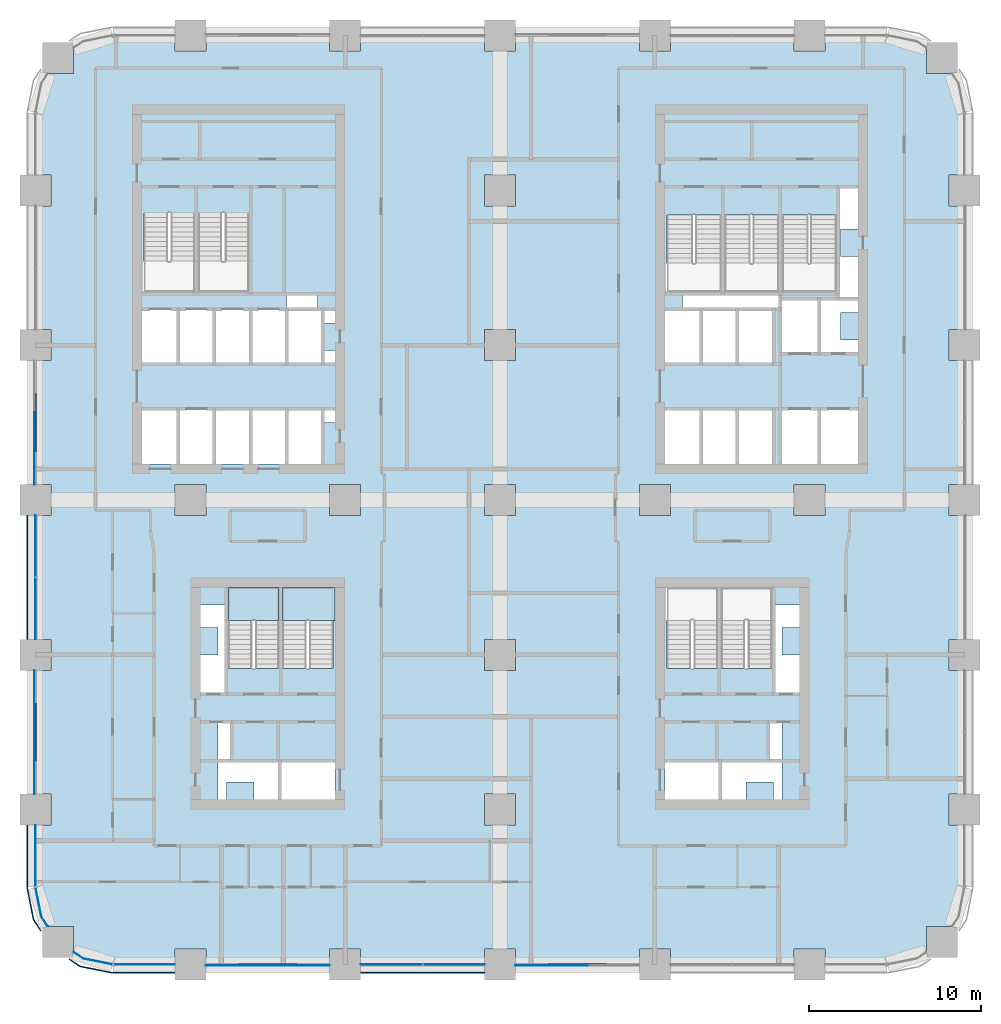
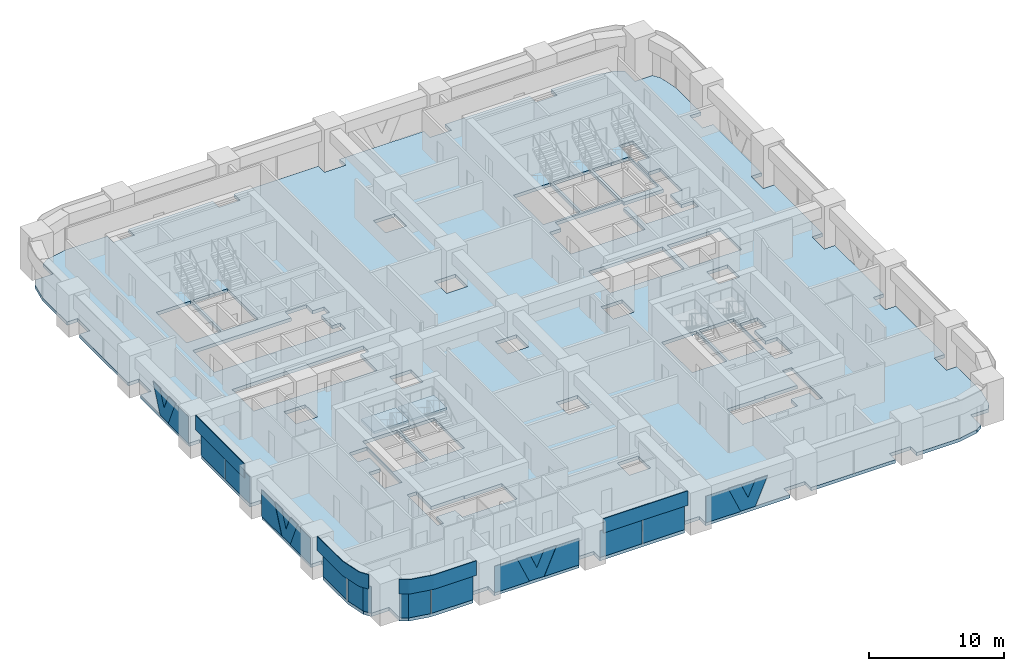
# One storey, part 10 of 21: 26 plates, 3 slabs, 10 elements without a shape of their own.
"""IFC4 building model written with IfcOpenShell, lengths in metres."""

from ifc_helpers import new_model, si_unit, direction, frame, origin, origin_2d, place, context, subcontext, project, spatial, polyline, rectangle, outline, extrude, material, layer, layer_set, type_object, element, aggregate, save


model = new_model("IFC4")

# Units and contexts
model_context = context("Model", 3, precision=1e-05, world=origin(), true_north=direction((0.0, 1.0)))
body_context = subcontext(model_context, "Body", "Model", "MODEL_VIEW")
ifc_project = project(units=[si_unit("LENGTHUNIT", "METRE"), si_unit("AREAUNIT", "SQUARE_METRE"), si_unit("VOLUMEUNIT", "CUBIC_METRE"), si_unit("PLANEANGLEUNIT", "RADIAN"), si_unit("MASSUNIT", "GRAM", prefix="KILO")], contexts=[model_context])

# Site, building, storey
site_placement = place(None, origin())
site = spatial("IfcSite", under=ifc_project, at=site_placement, CompositionType="ELEMENT")
building_placement = place(site_placement, origin())
building = spatial("IfcBuilding", under=site, at=building_placement, Name="Tessera Arch", CompositionType="ELEMENT")
storey_placement = place(building_placement, frame((0.0, 0.0, 69.0)))
storey = spatial("IfcBuildingStorey", under=building, at=storey_placement, Name="L15", CompositionType="ELEMENT", Elevation=69.0)

# Curtain wall, plates
ifc_material_1 = material(Name="CW1 curtain wall")
curtain_wall_type_1 = type_object("IfcCurtainWallType", Name="CW1 curtain wall", PredefinedType="NOTDEFINED", material=ifc_material_1)
curtain_wall_1_placement = place(storey_placement, origin())
curtain_wall_1 = element("IfcCurtainWall", 1, at=curtain_wall_1_placement, inside=storey, type_object=curtain_wall_type_1, Name="CW1 curtain wall S0.0/1 L15", PredefinedType="NOTDEFINED")
ifc_material_2 = material(Name="Clear low-e glass", Category="glass")
ifc_material_3 = material(Name="Clear low-e glass", Category="glass")
ifc_layer_1 = layer(ifc_material_3, 0.028076171875)
ifc_layer_set_1 = layer_set([ifc_layer_1], Name="CW1 glass panel")
plate_type_1 = type_object("IfcPlateType", Name="CW1 glass panel", PredefinedType="CURTAIN_PANEL", material=ifc_layer_set_1)
plate_1_placement = place(storey_placement, frame((20.68505859375, 0.0, 0.0), z_axis=(0.0, 0.0, 1.0), x_axis=(1.0, 0.0, 0.0)))
plate_1 = element("IfcPlate", 2, at=plate_1_placement, type_object=plate_type_1, material=ifc_material_2, Name="CW1 glass panel S0.0/1 1.1.1", PredefinedType="CURTAIN_PANEL", context=body_context, shape_type="SweptSolid", body=[
    extrude(rectangle(XDim=3.570068359375, YDim=0.028076171875, at=origin_2d()), origin(), (0.0, 0.0, 1.0), 2.39990234375),
])
plate_2_placement = place(storey_placement, frame((24.31494140625, 0.0, 0.0), z_axis=(0.0, 0.0, 1.0), x_axis=(1.0, 0.0, 0.0)))
plate_2 = element("IfcPlate", 3, at=plate_2_placement, type_object=plate_type_1, material=ifc_material_2, Name="CW1 glass panel S0.0/1 1.2.1", PredefinedType="CURTAIN_PANEL", context=body_context, shape_type="SweptSolid", body=[
    extrude(rectangle(XDim=3.570068359375, YDim=0.028076171875, at=origin_2d()), origin(), (0.0, 0.0, 1.0), 2.39990234375),
])

curtain_wall_2_placement = place(storey_placement, origin())
curtain_wall_2 = element("IfcCurtainWall", 4, at=curtain_wall_2_placement, inside=storey, type_object=curtain_wall_type_1, Name="CW1 curtain wall W0.0/3 L15", PredefinedType="NOTDEFINED")
plate_3_placement = place(storey_placement, frame((0.0, 24.31494140625, 0.0), z_axis=(0.0, 0.0, 1.0), x_axis=(0.0, -1.0, 0.0)))
plate_3 = element("IfcPlate", 5, at=plate_3_placement, type_object=plate_type_1, material=ifc_material_2, Name="CW1 glass panel W0.0/3 1.1.1", PredefinedType="CURTAIN_PANEL", context=body_context, shape_type="SweptSolid", body=[
    extrude(rectangle(XDim=3.570068359375, YDim=0.028076171875, at=origin_2d()), origin(), (0.0, 0.0, 1.0), 2.39990234375),
])
plate_4_placement = place(storey_placement, frame((0.0, 20.68505859375, 0.0), z_axis=(0.0, 0.0, 1.0), x_axis=(0.0, -1.0, 0.0)))
plate_4 = element("IfcPlate", 6, at=plate_4_placement, type_object=plate_type_1, material=ifc_material_2, Name="CW1 glass panel W0.0/3 1.2.1", PredefinedType="CURTAIN_PANEL", context=body_context, shape_type="SweptSolid", body=[
    extrude(rectangle(XDim=3.570068359375, YDim=0.028076171875, at=origin_2d()), origin(), (0.0, 0.0, 1.0), 2.39990234375),
])

# Plate
ifc_material_4 = material(Name="Pale anodised aluminium panel", Category="aluminium")
ifc_layer_2 = layer(ifc_material_4, 0.06005859375)
ifc_layer_set_2 = layer_set([ifc_layer_2], Name="CW1 spandrel panel")
plate_type_2 = type_object("IfcPlateType", Name="CW1 spandrel panel", PredefinedType="CURTAIN_PANEL", material=ifc_layer_set_2)
plate_5_placement = place(storey_placement, frame((22.5, -0.47998046875, 2.5), z_axis=(0.0, 0.0, 1.0), x_axis=(1.0, 0.0, 0.0)))
plate_5 = element("IfcPlate", 7, at=plate_5_placement, type_object=plate_type_2, Name="CW1 spandrel panel S0.0/1", PredefinedType="CURTAIN_PANEL", context=body_context, shape_type="SweptSolid", body=[
    extrude(rectangle(XDim=7.199951171875, YDim=0.06005859375, at=origin_2d()), origin(), (0.0, 0.0, 1.0), 1.300048828125),
])

aggregate(curtain_wall_1, [plate_1, plate_2, plate_5])

plate_6_placement = place(storey_placement, frame((-0.47998046875, 22.5, 2.5), z_axis=(0.0, 0.0, 1.0), x_axis=(0.0, -1.0, 0.0)))
plate_6 = element("IfcPlate", 8, at=plate_6_placement, type_object=plate_type_2, Name="CW1 spandrel panel W0.0/3", PredefinedType="CURTAIN_PANEL", context=body_context, shape_type="SweptSolid", body=[
    extrude(rectangle(XDim=7.199951171875, YDim=0.06005859375, at=origin_2d()), origin(), (0.0, 0.0, 1.0), 1.300048828125),
])

aggregate(curtain_wall_2, [plate_3, plate_4, plate_6])

# Curtain wall, plates
ifc_material_5 = material(Name="CW2 curtain wall")
curtain_wall_type_2 = type_object("IfcCurtainWallType", Name="CW2 curtain wall", PredefinedType="NOTDEFINED", material=ifc_material_5)
curtain_wall_3_placement = place(storey_placement, origin())
curtain_wall_3 = element("IfcCurtainWall", 9, at=curtain_wall_3_placement, inside=storey, type_object=curtain_wall_type_2, Name="CW2 curtain wall W0.0/5 L15", PredefinedType="NOTDEFINED")
ifc_material_6 = material(Name="Clear low-e glass", Category="glass")
ifc_layer_3 = layer(ifc_material_6, 0.028076171875)
ifc_layer_set_3 = layer_set([ifc_layer_3], Name="CW2 glass panel")
plate_type_3 = type_object("IfcPlateType", Name="CW2 glass panel", PredefinedType="CURTAIN_PANEL", material=ifc_layer_set_3)
plate_7_placement = place(storey_placement, frame((0.0, 6.320068359375, 0.0), z_axis=(0.0, 0.0, 1.0), x_axis=(0.0, -1.0, 0.0)))
plate_7 = element("IfcPlate", 10, at=plate_7_placement, type_object=plate_type_3, material=ifc_material_2, Name="CW2 glass panel W0.0/5 1.1", PredefinedType="CURTAIN_PANEL", context=body_context, shape_type="SweptSolid", body=[
    extrude(rectangle(XDim=3.56005859375, YDim=0.028076171875, at=origin_2d()), origin(), (0.0, 0.0, 1.0), 2.39990234375),
])
plate_8_placement = place(storey_placement, origin())
plate_8 = element("IfcPlate", 11, at=plate_8_placement, type_object=plate_type_3, material=ifc_material_2, Name="CW2 curved glass panel W0.0/5 2.1", PredefinedType="CURTAIN_PANEL", context=body_context, shape_type="SweptSolid", body=[
    extrude(outline(polyline([(0.355712890625, 2.783447265625), (0.021484375, 4.46337890625), (-0.005859375, 4.4580078125), (0.329345703125, 2.7724609375), (0.705078125, 2.210205078125), (0.728271484375, 2.225830078125), (0.355712890625, 2.783447265625)])), origin(), (0.0, 0.0, 1.0), 2.39990234375),
])

curtain_wall_4_placement = place(storey_placement, origin())
curtain_wall_4 = element("IfcCurtainWall", 12, at=curtain_wall_4_placement, inside=storey, type_object=curtain_wall_type_2, Name="CW2 curtain wall S0.0/5 L15", PredefinedType="NOTDEFINED")
plate_9_placement = place(storey_placement, frame((6.320068359375, 0.0, 0.0), z_axis=(0.0, 0.0, 1.0), x_axis=(1.0, 0.0, 0.0)))
plate_9 = element("IfcPlate", 13, at=plate_9_placement, type_object=plate_type_3, material=ifc_material_2, Name="CW2 glass panel S0.0/5 1.1", PredefinedType="CURTAIN_PANEL", context=body_context, shape_type="SweptSolid", body=[
    extrude(rectangle(XDim=3.56005859375, YDim=0.028076171875, at=origin_2d()), origin(), (0.0, 0.0, 1.0), 2.39990234375),
])
plate_10_placement = place(storey_placement, origin())
plate_10 = element("IfcPlate", 14, at=plate_10_placement, type_object=plate_type_3, material=ifc_material_2, Name="CW2 curved glass panel S0.0/5 2.1", PredefinedType="CURTAIN_PANEL", context=body_context, shape_type="SweptSolid", body=[
    extrude(outline(polyline([(2.783447265625, 0.355712890625), (2.225830078125, 0.728271484375), (2.210205078125, 0.705078125), (2.7724609375, 0.329345703125), (4.4580078125, -0.005859375), (4.46337890625, 0.021484375), (2.783447265625, 0.355712890625)])), origin(), (0.0, 0.0, 1.0), 2.39990234375),
])

# Plate
ifc_material_7 = material(Name="Pale anodised aluminium panel", Category="aluminium")
ifc_layer_4 = layer(ifc_material_7, 0.06005859375)
ifc_layer_set_4 = layer_set([ifc_layer_4], Name="CW2 spandrel panel")
plate_type_4 = type_object("IfcPlateType", Name="CW2 spandrel panel", PredefinedType="CURTAIN_PANEL", material=ifc_layer_set_4)
plate_11_placement = place(storey_placement, frame((0.0, 0.0, 2.5)))
plate_11 = element("IfcPlate", 15, at=plate_11_placement, type_object=plate_type_4, Name="CW2 spandrel panel W0.0/5", PredefinedType="CURTAIN_PANEL", context=body_context, shape_type="SweptSolid", body=[
    extrude(outline(polyline([(-0.449951171875, 4.500732421875), (-0.449951171875, 8.10009765625), (-0.510009765625, 8.10009765625), (-0.510009765625, 4.499267578125), (-0.507568359375, 4.449951171875), (-0.500244140625, 4.401123046875), (-0.157470703125, 2.677734375), (-0.1455078125, 2.6298828125), (-0.128662109375, 2.582763671875), (-0.107177734375, 2.537353515625), (-0.08203125, 2.4951171875), (0.292724609375, 1.9345703125), (0.342529296875, 1.968017578125), (-0.03125, 2.52734375), (-0.05419921875, 2.565673828125), (-0.0732421875, 2.605712890625), (-0.088134765625, 2.647216796875), (-0.09912109375, 2.69091796875), (-0.441162109375, 4.411376953125), (-0.44775390625, 4.455810546875), (-0.449951171875, 4.500732421875)])), origin(), (0.0, 0.0, 1.0), 1.300048828125),
])

aggregate(curtain_wall_3, [plate_7, plate_8, plate_11])

plate_12_placement = place(storey_placement, frame((0.0, 0.0, 2.5)))
plate_12 = element("IfcPlate", 16, at=plate_12_placement, type_object=plate_type_4, Name="CW2 spandrel panel S0.0/5", PredefinedType="CURTAIN_PANEL", context=body_context, shape_type="SweptSolid", body=[
    extrude(outline(polyline([(2.52734375, -0.03125), (1.968017578125, 0.342529296875), (1.9345703125, 0.292724609375), (2.4951171875, -0.08203125), (2.537353515625, -0.107177734375), (2.582763671875, -0.128662109375), (2.6298828125, -0.1455078125), (2.677734375, -0.157470703125), (4.401123046875, -0.500244140625), (4.449951171875, -0.507568359375), (4.499267578125, -0.510009765625), (8.10009765625, -0.510009765625), (8.10009765625, -0.449951171875), (4.500732421875, -0.449951171875), (4.455810546875, -0.44775390625), (4.411376953125, -0.441162109375), (2.69091796875, -0.09912109375), (2.647216796875, -0.088134765625), (2.605712890625, -0.0732421875), (2.565673828125, -0.05419921875), (2.52734375, -0.03125)])), origin(), (0.0, 0.0, 1.0), 1.300048828125),
])

aggregate(curtain_wall_4, [plate_9, plate_10, plate_12])

# Curtain wall, plate
ifc_material_8 = material(Name="CW3 curtain wall")
curtain_wall_type_3 = type_object("IfcCurtainWallType", Name="CW3 curtain wall", PredefinedType="NOTDEFINED", material=ifc_material_8)
curtain_wall_5_placement = place(storey_placement, origin())
curtain_wall_5 = element("IfcCurtainWall", 17, at=curtain_wall_5_placement, inside=storey, type_object=curtain_wall_type_3, Name="CW3 curtain wall S0.0/0 L15", PredefinedType="NOTDEFINED")
ifc_material_9 = material(Name="Pale anodised aluminium panel", Category="aluminium")
ifc_layer_5 = layer(ifc_material_9, 0.06005859375)
ifc_layer_set_5 = layer_set([ifc_layer_5], Name="CW3 diagonal panel")
plate_type_5 = type_object("IfcPlateType", Name="CW3 diagonal panel", PredefinedType="CURTAIN_PANEL", material=ifc_layer_set_5)
plate_13_placement = place(storey_placement, frame((15.184326171875, -0.030029296875, 2.39990234375), z_axis=(0.0, -1.0, 0.0), x_axis=(-1.0, 0.0, 0.0)))
plate_13 = element("IfcPlate", 18, at=plate_13_placement, type_object=plate_type_5, Name="CW3 diagonal panel S0.0/0 1", PredefinedType="CURTAIN_PANEL", context=body_context, shape_type="SweptSolid", body=[
    extrude(outline(polyline([(0.0, 0.0), (1.085693359375, 0.0), (1.684326171875, 1.363525390625), (2.282958984375, 0.0), (3.36865234375, 0.0), (2.31494140625, 2.39990234375), (1.0537109375, 2.39990234375), (0.0, 0.0)])), origin(), (0.0, 0.0, -1.0), 0.06005859375),
])

curtain_wall_6_placement = place(storey_placement, origin())
curtain_wall_6 = element("IfcCurtainWall", 19, at=curtain_wall_6_placement, inside=storey, type_object=curtain_wall_type_3, Name="CW3 curtain wall S0.0/2 L15", PredefinedType="NOTDEFINED")
plate_14_placement = place(storey_placement, frame((33.184326171875, -0.030029296875, 2.39990234375), z_axis=(0.0, -1.0, 0.0), x_axis=(-1.0, 0.0, 0.0)))
plate_14 = element("IfcPlate", 20, at=plate_14_placement, type_object=plate_type_5, Name="CW3 diagonal panel S0.0/2 1", PredefinedType="CURTAIN_PANEL", context=body_context, shape_type="SweptSolid", body=[
    extrude(outline(polyline([(0.0, 0.0), (1.085693359375, 0.0), (1.684326171875, 1.363525390625), (2.282958984375, 0.0), (3.36865234375, 0.0), (2.31494140625, 2.39990234375), (1.0537109375, 2.39990234375), (0.0, 0.0)])), origin(), (0.0, 0.0, -1.0), 0.06005859375),
])

curtain_wall_7_placement = place(storey_placement, origin())
curtain_wall_7 = element("IfcCurtainWall", 21, at=curtain_wall_7_placement, inside=storey, type_object=curtain_wall_type_3, Name="CW3 curtain wall W0.0/2 L15", PredefinedType="NOTDEFINED")
plate_15_placement = place(storey_placement, frame((-0.030029296875, 29.815673828125, 2.39990234375), z_axis=(-1.0, 0.0, 0.0), x_axis=(0.0, 1.0, 0.0)))
plate_15 = element("IfcPlate", 22, at=plate_15_placement, type_object=plate_type_5, Name="CW3 diagonal panel W0.0/2 1", PredefinedType="CURTAIN_PANEL", context=body_context, shape_type="SweptSolid", body=[
    extrude(outline(polyline([(0.0, 0.0), (1.085693359375, 0.0), (1.684326171875, 1.363525390625), (2.282958984375, 0.0), (3.36865234375, 0.0), (2.31494140625, 2.39990234375), (1.0537109375, 2.39990234375), (0.0, 0.0)])), origin(), (0.0, 0.0, -1.0), 0.06005859375),
])

curtain_wall_8_placement = place(storey_placement, origin())
curtain_wall_8 = element("IfcCurtainWall", 23, at=curtain_wall_8_placement, inside=storey, type_object=curtain_wall_type_3, Name="CW3 curtain wall W0.0/4 L15", PredefinedType="NOTDEFINED")
plate_16_placement = place(storey_placement, frame((-0.030029296875, 11.815673828125, 2.39990234375), z_axis=(-1.0, 0.0, 0.0), x_axis=(0.0, 1.0, 0.0)))
plate_16 = element("IfcPlate", 24, at=plate_16_placement, type_object=plate_type_5, Name="CW3 diagonal panel W0.0/4 1", PredefinedType="CURTAIN_PANEL", context=body_context, shape_type="SweptSolid", body=[
    extrude(outline(polyline([(0.0, 0.0), (1.085693359375, 0.0), (1.684326171875, 1.363525390625), (2.282958984375, 0.0), (3.36865234375, 0.0), (2.31494140625, 2.39990234375), (1.0537109375, 2.39990234375), (0.0, 0.0)])), origin(), (0.0, 0.0, -1.0), 0.06005859375),
])

# Plate
ifc_material_10 = material(Name="Clear low-e glass", Category="glass")
ifc_layer_6 = layer(ifc_material_10, 0.028076171875)
ifc_layer_set_6 = layer_set([ifc_layer_6], Name="CW3 glass panel")
plate_type_6 = type_object("IfcPlateType", Name="CW3 glass panel", PredefinedType="CURTAIN_PANEL", material=ifc_layer_set_6)
plate_17_placement = place(storey_placement, frame((9.89990234375, -0.05810546875, 0.0), z_axis=(0.0, -1.0, 0.0), x_axis=(1.0, 0.0, 0.0)))
plate_17 = element("IfcPlate", 25, at=plate_17_placement, type_object=plate_type_6, material=ifc_material_2, Name="CW3 triangulated glass panel S0.0/0 1", PredefinedType="CURTAIN_PANEL", context=body_context, shape_type="SweptSolid", body=[
    extrude(outline(polyline([(0.0, 0.0), (2.969482421875, 0.0), (1.915771484375, 2.39990234375), (0.0, 2.39990234375), (0.0, 0.0)])), origin(), (0.0, 0.0, -1.0), 0.028076171875),
])

plate_18_placement = place(storey_placement, frame((14.0986328125, -0.05810546875, 2.39990234375), z_axis=(0.0, -1.0, 0.0), x_axis=(-1.0, 0.0, 0.0)))
plate_18 = element("IfcPlate", 26, at=plate_18_placement, type_object=plate_type_6, material=ifc_material_2, Name="CW3 triangulated glass panel S0.0/0 2", PredefinedType="CURTAIN_PANEL", context=body_context, shape_type="SweptSolid", body=[
    extrude(outline(polyline([(0.0, 0.0), (1.197265625, 0.0), (0.5986328125, 1.363525390625), (0.0, 0.0)])), origin(), (0.0, 0.0, -1.0), 0.028076171875),
])

plate_19_placement = place(storey_placement, frame((17.10009765625, -0.05810546875, 2.39990234375), z_axis=(0.0, -1.0, 0.0), x_axis=(-1.0, 0.0, 0.0)))
plate_19 = element("IfcPlate", 27, at=plate_19_placement, type_object=plate_type_6, material=ifc_material_2, Name="CW3 triangulated glass panel S0.0/0 3", PredefinedType="CURTAIN_PANEL", context=body_context, shape_type="SweptSolid", body=[
    extrude(outline(polyline([(0.0, 0.0), (1.915771484375, 0.0), (2.969482421875, 2.39990234375), (0.0, 2.39990234375), (0.0, 0.0)])), origin(), (0.0, 0.0, -1.0), 0.028076171875),
])

aggregate(curtain_wall_5, [plate_17, plate_18, plate_19, plate_13])

plate_20_placement = place(storey_placement, frame((27.89990234375, -0.05810546875, 0.0), z_axis=(0.0, -1.0, 0.0), x_axis=(1.0, 0.0, 0.0)))
plate_20 = element("IfcPlate", 28, at=plate_20_placement, type_object=plate_type_6, material=ifc_material_2, Name="CW3 triangulated glass panel S0.0/2 1", PredefinedType="CURTAIN_PANEL", context=body_context, shape_type="SweptSolid", body=[
    extrude(outline(polyline([(0.0, 0.0), (2.969482421875, 0.0), (1.915771484375, 2.39990234375), (0.0, 2.39990234375), (0.0, 0.0)])), origin(), (0.0, 0.0, -1.0), 0.028076171875),
])

plate_21_placement = place(storey_placement, frame((32.0986328125, -0.05810546875, 2.39990234375), z_axis=(0.0, -1.0, 0.0), x_axis=(-1.0, 0.0, 0.0)))
plate_21 = element("IfcPlate", 29, at=plate_21_placement, type_object=plate_type_6, material=ifc_material_2, Name="CW3 triangulated glass panel S0.0/2 2", PredefinedType="CURTAIN_PANEL", context=body_context, shape_type="SweptSolid", body=[
    extrude(outline(polyline([(0.0, 0.0), (1.197265625, 0.0), (0.5986328125, 1.363525390625), (0.0, 0.0)])), origin(), (0.0, 0.0, -1.0), 0.028076171875),
])

aggregate(curtain_wall_6, [plate_20, plate_21, plate_14])

plate_22_placement = place(storey_placement, frame((-0.05810546875, 30.9013671875, 2.39990234375), z_axis=(-1.0, 0.0, 0.0), x_axis=(0.0, 1.0, 0.0)))
plate_22 = element("IfcPlate", 30, at=plate_22_placement, type_object=plate_type_6, material=ifc_material_2, Name="CW3 triangulated glass panel W0.0/2 2", PredefinedType="CURTAIN_PANEL", context=body_context, shape_type="SweptSolid", body=[
    extrude(outline(polyline([(0.0, 0.0), (1.197265625, 0.0), (0.5986328125, 1.363525390625), (0.0, 0.0)])), origin(), (0.0, 0.0, -1.0), 0.028076171875),
])

plate_23_placement = place(storey_placement, frame((-0.05810546875, 27.89990234375, 2.39990234375), z_axis=(-1.0, 0.0, 0.0), x_axis=(0.0, 1.0, 0.0)))
plate_23 = element("IfcPlate", 31, at=plate_23_placement, type_object=plate_type_6, material=ifc_material_2, Name="CW3 triangulated glass panel W0.0/2 3", PredefinedType="CURTAIN_PANEL", context=body_context, shape_type="SweptSolid", body=[
    extrude(outline(polyline([(0.0, 0.0), (1.915771484375, 0.0), (2.969482421875, 2.39990234375), (0.0, 2.39990234375), (0.0, 0.0)])), origin(), (0.0, 0.0, -1.0), 0.028076171875),
])

aggregate(curtain_wall_7, [plate_22, plate_23, plate_15])

plate_24_placement = place(storey_placement, frame((-0.05810546875, 17.10009765625, 0.0), z_axis=(-1.0, 0.0, 0.0), x_axis=(0.0, -1.0, 0.0)))
plate_24 = element("IfcPlate", 32, at=plate_24_placement, type_object=plate_type_6, material=ifc_material_2, Name="CW3 triangulated glass panel W0.0/4 1", PredefinedType="CURTAIN_PANEL", context=body_context, shape_type="SweptSolid", body=[
    extrude(outline(polyline([(0.0, 0.0), (2.969482421875, 0.0), (1.915771484375, 2.39990234375), (0.0, 2.39990234375), (0.0, 0.0)])), origin(), (0.0, 0.0, -1.0), 0.028076171875),
])

plate_25_placement = place(storey_placement, frame((-0.05810546875, 12.9013671875, 2.39990234375), z_axis=(-1.0, 0.0, 0.0), x_axis=(0.0, 1.0, 0.0)))
plate_25 = element("IfcPlate", 33, at=plate_25_placement, type_object=plate_type_6, material=ifc_material_2, Name="CW3 triangulated glass panel W0.0/4 2", PredefinedType="CURTAIN_PANEL", context=body_context, shape_type="SweptSolid", body=[
    extrude(outline(polyline([(0.0, 0.0), (1.197265625, 0.0), (0.5986328125, 1.363525390625), (0.0, 0.0)])), origin(), (0.0, 0.0, -1.0), 0.028076171875),
])

plate_26_placement = place(storey_placement, frame((-0.05810546875, 9.89990234375, 2.39990234375), z_axis=(-1.0, 0.0, 0.0), x_axis=(0.0, 1.0, 0.0)))
plate_26 = element("IfcPlate", 34, at=plate_26_placement, type_object=plate_type_6, material=ifc_material_2, Name="CW3 triangulated glass panel W0.0/4 3", PredefinedType="CURTAIN_PANEL", context=body_context, shape_type="SweptSolid", body=[
    extrude(outline(polyline([(0.0, 0.0), (1.915771484375, 0.0), (2.969482421875, 2.39990234375), (0.0, 2.39990234375), (0.0, 0.0)])), origin(), (0.0, 0.0, -1.0), 0.028076171875),
])

aggregate(curtain_wall_8, [plate_24, plate_25, plate_26, plate_16])

# Slab
ifc_material_11 = material(Name="Concrete C40/50", Category="concrete")
ifc_layer_7 = layer(ifc_material_11, 0.300048828125)
ifc_layer_set_7 = layer_set([ifc_layer_7], Name="Floor slab 300 Concrete C40/50")
slab_type_1 = type_object("IfcSlabType", Name="Floor slab 300 Concrete C40/50", PredefinedType="FLOOR", material=ifc_layer_set_7)
slab_1_placement = place(storey_placement, frame((0.0, 0.0, -0.300048828125)))
element("IfcSlab", 35, at=slab_1_placement, inside=storey, type_object=slab_type_1, Name="Floor slab L15 1", PredefinedType="FLOOR", context=body_context, shape_type="SweptSolid", body=[
    extrude(outline(polyline([(4.5, 0.0), (2.77783203125, 0.342529296875), (2.218017578125, 0.716552734375), (2.218017578125, 2.218017578125), (0.716552734375, 2.218017578125), (0.342529296875, 2.77783203125), (0.0, 4.5), (0.0, 8.10009765625), (0.89990234375, 8.10009765625), (0.89990234375, 9.89990234375), (0.0, 9.89990234375), (0.0, 17.10009765625), (0.89990234375, 17.10009765625), (0.89990234375, 18.89990234375), (0.0, 18.89990234375), (0.0, 26.10009765625), (0.89990234375, 26.10009765625), (0.89990234375, 27.89990234375), (0.0, 27.89990234375), (0.0, 35.10009765625), (0.89990234375, 35.10009765625), (0.89990234375, 36.89990234375), (0.0, 36.89990234375), (0.0, 44.10009765625), (0.89990234375, 44.10009765625), (0.89990234375, 45.89990234375), (0.0, 45.89990234375), (0.0, 49.5), (0.342529296875, 51.22216796875), (0.716552734375, 51.781982421875), (2.218017578125, 51.781982421875), (2.218017578125, 53.283447265625), (2.77783203125, 53.657470703125), (4.5, 54.0), (8.10009765625, 54.0), (8.10009765625, 53.10009765625), (9.89990234375, 53.10009765625), (9.89990234375, 54.0), (17.10009765625, 54.0), (17.10009765625, 53.10009765625), (18.89990234375, 53.10009765625), (18.89990234375, 54.0), (26.10009765625, 54.0), (26.10009765625, 53.10009765625), (27.89990234375, 53.10009765625), (27.89990234375, 54.0), (35.10009765625, 54.0), (35.10009765625, 53.10009765625), (36.89990234375, 53.10009765625), (36.89990234375, 54.0), (44.10009765625, 54.0), (44.10009765625, 53.10009765625), (45.89990234375, 53.10009765625), (45.89990234375, 54.0), (49.5, 54.0), (51.22216796875, 53.657470703125), (51.781982421875, 53.283447265625), (51.781982421875, 51.781982421875), (53.283447265625, 51.781982421875), (53.657470703125, 51.22216796875), (54.0, 49.5), (54.0, 45.89990234375), (53.10009765625, 45.89990234375), (53.10009765625, 44.10009765625), (54.0, 44.10009765625), (54.0, 36.89990234375), (53.10009765625, 36.89990234375), (53.10009765625, 35.10009765625), (54.0, 35.10009765625), (54.0, 27.89990234375), (53.10009765625, 27.89990234375), (53.10009765625, 26.10009765625), (54.0, 26.10009765625), (54.0, 18.89990234375), (53.10009765625, 18.89990234375), (53.10009765625, 17.10009765625), (54.0, 17.10009765625), (54.0, 9.89990234375), (53.10009765625, 9.89990234375), (53.10009765625, 8.10009765625), (54.0, 8.10009765625), (54.0, 4.5), (53.657470703125, 2.77783203125), (53.283447265625, 2.218017578125), (51.781982421875, 2.218017578125), (51.781982421875, 0.716552734375), (51.22216796875, 0.342529296875), (49.5, 0.0), (45.89990234375, 0.0), (45.89990234375, 0.89990234375), (44.10009765625, 0.89990234375), (44.10009765625, 0.0), (36.89990234375, 0.0), (36.89990234375, 0.89990234375), (35.10009765625, 0.89990234375), (35.10009765625, 0.0), (27.89990234375, 0.0), (27.89990234375, 0.89990234375), (26.10009765625, 0.89990234375), (26.10009765625, 0.0), (18.89990234375, 0.0), (18.89990234375, 0.89990234375), (17.10009765625, 0.89990234375), (17.10009765625, 0.0), (9.89990234375, 0.0), (9.89990234375, 0.89990234375), (8.10009765625, 0.89990234375), (8.10009765625, 0.0), (4.5, 0.0)]), holes=[polyline([(11.10009765625, 9.60009765625), (11.10009765625, 10.60009765625), (12.699951171875, 10.60009765625), (12.699951171875, 9.60009765625), (14.199951171875, 9.60009765625), (17.39990234375, 9.60009765625), (17.39990234375, 11.85009765625), (14.199951171875, 11.85009765625), (14.199951171875, 11.89990234375), (11.39990234375, 11.89990234375), (11.39990234375, 14.10009765625), (10.60009765625, 14.10009765625), (10.60009765625, 11.89990234375), (10.60009765625, 9.60009765625), (11.10009765625, 9.60009765625)]), polyline([(9.60009765625, 19.60009765625), (10.60009765625, 19.60009765625), (10.60009765625, 18.0), (9.60009765625, 18.0), (9.60009765625, 15.699951171875), (11.10009765625, 15.699951171875), (11.10009765625, 20.89990234375), (9.60009765625, 20.89990234375), (9.60009765625, 19.60009765625)]), polyline([(12.60009765625, 17.2099609375), (12.60009765625, 17.199951171875), (12.75, 17.199951171875), (12.75, 17.2099609375), (14.14990234375, 17.2099609375), (14.14990234375, 21.699951171875), (11.199951171875, 21.699951171875), (11.199951171875, 17.2099609375), (12.60009765625, 17.2099609375)]), polyline([(8.10009765625, 26.10009765625), (9.89990234375, 26.10009765625), (9.89990234375, 27.89990234375), (8.10009765625, 27.89990234375), (8.10009765625, 26.10009765625)]), polyline([(12.5, 29.10009765625), (14.60009765625, 29.10009765625), (16.699951171875, 29.10009765625), (16.699951171875, 31.5), (17.39990234375, 31.5), (17.39990234375, 32.300048828125), (16.699951171875, 32.300048828125), (14.60009765625, 32.300048828125), (12.5, 32.300048828125), (10.39990234375, 32.300048828125), (8.300048828125, 32.300048828125), (6.199951171875, 32.300048828125), (6.199951171875, 29.10009765625), (8.300048828125, 29.10009765625), (10.39990234375, 29.10009765625), (12.5, 29.10009765625)]), polyline([(10.39990234375, 38.10009765625), (8.300048828125, 38.10009765625), (6.199951171875, 38.10009765625), (6.199951171875, 34.89990234375), (8.300048828125, 34.89990234375), (10.39990234375, 34.89990234375), (12.5, 34.89990234375), (14.60009765625, 34.89990234375), (16.699951171875, 34.89990234375), (17.39990234375, 34.89990234375), (17.39990234375, 35.699951171875), (16.699951171875, 35.699951171875), (16.699951171875, 37.300048828125), (17.39990234375, 37.300048828125), (17.39990234375, 38.10009765625), (16.699951171875, 38.10009765625), (16.39990234375, 38.10009765625), (16.39990234375, 39.0), (14.60009765625, 39.0), (14.60009765625, 38.10009765625), (12.5, 38.10009765625), (10.39990234375, 38.10009765625)]), polyline([(11.0, 43.699951171875), (10.85009765625, 43.699951171875), (10.85009765625, 43.68994140625), (9.449951171875, 43.68994140625), (9.449951171875, 39.199951171875), (12.39990234375, 39.199951171875), (12.39990234375, 43.68994140625), (11.0, 43.68994140625), (11.0, 43.699951171875)]), polyline([(7.85009765625, 43.699951171875), (7.699951171875, 43.699951171875), (7.699951171875, 43.68994140625), (6.300048828125, 43.68994140625), (6.300048828125, 39.199951171875), (9.25, 39.199951171875), (9.25, 43.68994140625), (7.85009765625, 43.68994140625), (7.85009765625, 43.699951171875)]), polyline([(26.10009765625, 8.10009765625), (27.89990234375, 8.10009765625), (27.89990234375, 9.89990234375), (26.10009765625, 9.89990234375), (26.10009765625, 8.10009765625)]), polyline([(39.800048828125, 9.60009765625), (41.300048828125, 9.60009765625), (41.300048828125, 10.60009765625), (42.89990234375, 10.60009765625), (42.89990234375, 9.60009765625), (43.39990234375, 9.60009765625), (43.39990234375, 11.89990234375), (43.39990234375, 14.10009765625), (42.60009765625, 14.10009765625), (42.60009765625, 11.89990234375), (39.800048828125, 11.89990234375), (39.800048828125, 11.85009765625), (36.60009765625, 11.85009765625), (36.60009765625, 9.60009765625), (39.800048828125, 9.60009765625)]), polyline([(26.10009765625, 18.89990234375), (26.10009765625, 17.10009765625), (27.89990234375, 17.10009765625), (27.89990234375, 18.89990234375), (26.10009765625, 18.89990234375)]), polyline([(15.75, 17.199951171875), (15.89990234375, 17.199951171875), (15.89990234375, 17.2099609375), (17.300048828125, 17.2099609375), (17.300048828125, 21.699951171875), (14.35009765625, 21.699951171875), (14.35009765625, 17.2099609375), (15.75, 17.2099609375), (15.75, 17.199951171875)]), polyline([(38.10009765625, 17.199951171875), (38.25, 17.199951171875), (38.25, 17.2099609375), (39.64990234375, 17.2099609375), (39.64990234375, 21.699951171875), (36.699951171875, 21.699951171875), (36.699951171875, 17.2099609375), (38.10009765625, 17.2099609375), (38.10009765625, 17.199951171875)]), polyline([(17.10009765625, 26.10009765625), (18.89990234375, 26.10009765625), (18.89990234375, 27.89990234375), (17.10009765625, 27.89990234375), (17.10009765625, 26.10009765625)]), polyline([(26.10009765625, 27.89990234375), (26.10009765625, 26.10009765625), (27.89990234375, 26.10009765625), (27.89990234375, 27.89990234375), (26.10009765625, 27.89990234375)]), polyline([(35.10009765625, 27.89990234375), (35.10009765625, 26.10009765625), (36.89990234375, 26.10009765625), (36.89990234375, 27.89990234375), (35.10009765625, 27.89990234375)]), polyline([(36.60009765625, 32.300048828125), (36.60009765625, 29.10009765625), (38.699951171875, 29.10009765625), (40.800048828125, 29.10009765625), (42.89990234375, 29.10009765625), (42.89990234375, 32.300048828125), (40.800048828125, 32.300048828125), (38.699951171875, 32.300048828125), (36.60009765625, 32.300048828125)]), polyline([(26.10009765625, 35.10009765625), (27.89990234375, 35.10009765625), (27.89990234375, 36.89990234375), (26.10009765625, 36.89990234375), (26.10009765625, 35.10009765625)]), polyline([(38.699951171875, 34.89990234375), (40.800048828125, 34.89990234375), (42.89990234375, 34.89990234375), (42.89990234375, 38.10009765625), (43.300048828125, 38.10009765625), (43.300048828125, 35.5), (45.550048828125, 35.5), (47.800048828125, 35.5), (47.800048828125, 36.300048828125), (46.800048828125, 36.300048828125), (46.800048828125, 37.89990234375), (47.800048828125, 37.89990234375), (47.800048828125, 38.699951171875), (47.800048828125, 41.14990234375), (46.800048828125, 41.14990234375), (46.800048828125, 42.75), (47.800048828125, 42.75), (47.800048828125, 45.199951171875), (46.64990234375, 45.199951171875), (46.64990234375, 38.699951171875), (45.550048828125, 38.699951171875), (43.300048828125, 38.699951171875), (43.300048828125, 39.0), (37.60009765625, 39.0), (37.60009765625, 38.10009765625), (36.60009765625, 38.10009765625), (36.60009765625, 34.89990234375), (38.699951171875, 34.89990234375)]), polyline([(38.330078125, 43.580078125), (38.219970703125, 43.580078125), (38.219970703125, 43.570068359375), (36.699951171875, 43.570068359375), (36.699951171875, 39.199951171875), (39.85009765625, 39.199951171875), (39.85009765625, 43.570068359375), (38.330078125, 43.570068359375), (38.330078125, 43.580078125)]), polyline([(26.10009765625, 44.10009765625), (27.89990234375, 44.10009765625), (27.89990234375, 45.89990234375), (26.10009765625, 45.89990234375), (26.10009765625, 44.10009765625)]), polyline([(42.89990234375, 15.699951171875), (44.39990234375, 15.699951171875), (44.39990234375, 18.0), (43.39990234375, 18.0), (43.39990234375, 19.60009765625), (44.39990234375, 19.60009765625), (44.39990234375, 20.89990234375), (42.89990234375, 20.89990234375), (42.89990234375, 15.699951171875)]), polyline([(41.25, 17.199951171875), (41.39990234375, 17.199951171875), (41.39990234375, 17.2099609375), (42.800048828125, 17.2099609375), (42.800048828125, 21.699951171875), (39.85009765625, 21.699951171875), (39.85009765625, 17.2099609375), (41.25, 17.2099609375), (41.25, 17.199951171875)]), polyline([(44.10009765625, 26.10009765625), (45.89990234375, 26.10009765625), (45.89990234375, 27.89990234375), (44.10009765625, 27.89990234375), (44.10009765625, 26.10009765625)]), polyline([(45.550048828125, 29.10009765625), (47.800048828125, 29.10009765625), (47.800048828125, 32.300048828125), (45.550048828125, 32.300048828125), (43.300048828125, 32.300048828125), (43.300048828125, 29.10009765625), (45.550048828125, 29.10009765625)]), polyline([(45.030029296875, 43.570068359375), (45.030029296875, 43.580078125), (44.919921875, 43.580078125), (44.919921875, 43.570068359375), (43.39990234375, 43.570068359375), (43.39990234375, 39.199951171875), (46.550048828125, 39.199951171875), (46.550048828125, 43.570068359375), (45.030029296875, 43.570068359375)]), polyline([(41.679931640625, 43.580078125), (41.570068359375, 43.580078125), (41.570068359375, 43.570068359375), (40.050048828125, 43.570068359375), (40.050048828125, 39.199951171875), (43.199951171875, 39.199951171875), (43.199951171875, 43.570068359375), (41.679931640625, 43.570068359375), (41.679931640625, 43.580078125)])]), origin(), (0.0, 0.0, 1.0), 0.300048828125),
])

# Stair, slab
ifc_material_12 = material(Name="Concrete C40/50", Category="concrete")
stair_type = type_object("IfcStairType", Name="Dogleg stair 1400", PredefinedType="HALF_TURN_STAIR", material=ifc_material_12)
stair_1_placement = place(storey_placement, origin())
stair_1 = element("IfcStair", 36, at=stair_1_placement, inside=storey, type_object=stair_type, Name="L15 S4a", PredefinedType="HALF_TURN_STAIR")
ifc_material_13 = material(Name="Concrete C40/50", Category="concrete")
ifc_layer_8 = layer(ifc_material_13, 0.300048828125)
ifc_layer_set_8 = layer_set([ifc_layer_8], Name="Stair landing 300")
slab_type_2 = type_object("IfcSlabType", Name="Stair landing 300", PredefinedType="LANDING", material=ifc_layer_set_8)
slab_2_placement = place(storey_placement, frame((0.0, 0.0, 1.699951171875)))
slab_2 = element("IfcSlab", 37, at=slab_2_placement, type_object=slab_type_2, Name="S4a landing 1", PredefinedType="LANDING", context=body_context, shape_type="SweptSolid", body=[
    extrude(outline(polyline([(17.39990234375, 20.0), (17.39990234375, 21.89990234375), (14.35009765625, 21.89990234375), (14.35009765625, 20.0), (17.39990234375, 20.0)])), origin(), (0.0, 0.0, 1.0), 0.199951171875),
])
aggregate(stair_1, [slab_2])

stair_2_placement = place(storey_placement, origin())
stair_2 = element("IfcStair", 38, at=stair_2_placement, inside=storey, type_object=stair_type, Name="L15 S4b", PredefinedType="HALF_TURN_STAIR")
slab_3_placement = place(storey_placement, frame((0.0, 0.0, 1.699951171875)))
slab_3 = element("IfcSlab", 39, at=slab_3_placement, type_object=slab_type_2, Name="S4b landing 1", PredefinedType="LANDING", context=body_context, shape_type="SweptSolid", body=[
    extrude(outline(polyline([(14.14990234375, 20.0), (14.14990234375, 21.89990234375), (11.199951171875, 21.89990234375), (11.199951171875, 20.0), (14.14990234375, 20.0)])), origin(), (0.0, 0.0, 1.0), 0.199951171875),
])
aggregate(stair_2, [slab_3])

save(model, "model.ifc")
